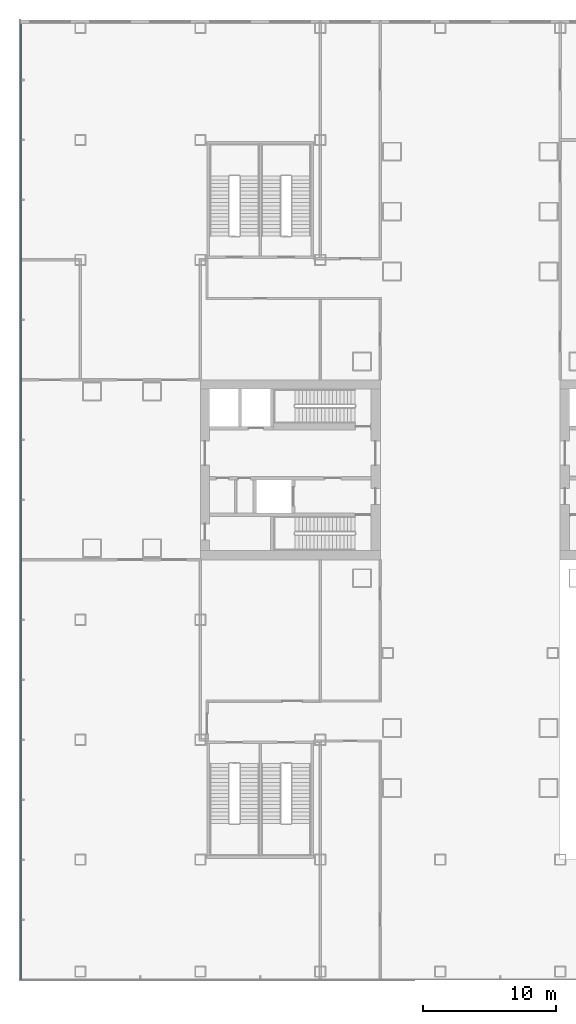
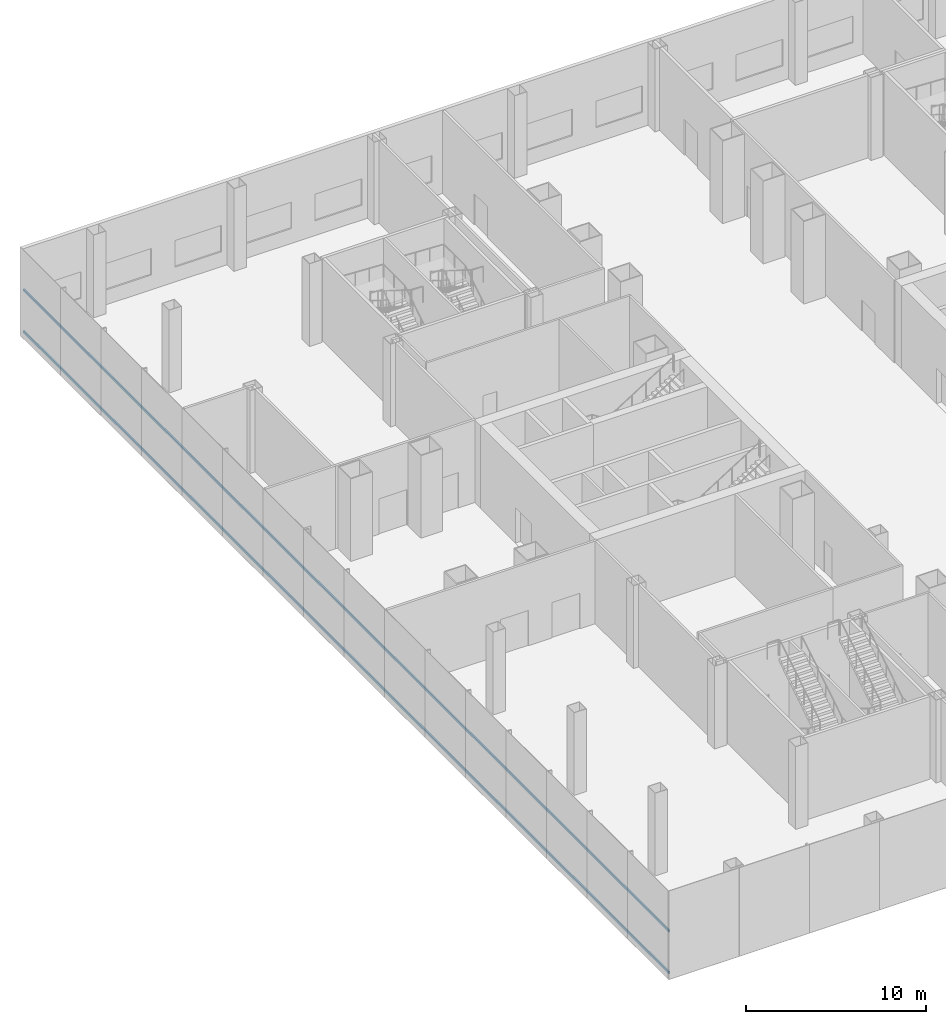
# One storey, part 7 of 33: 2 members, 1 element without a shape of its own.
"""IFC4 building model written with IfcOpenShell, lengths in metres."""

from ifc_helpers import new_model, si_unit, direction, frame, origin, origin_2d, place, context, subcontext, project, spatial, rectangle, extrude, material, layer, layer_set, material_profile, profile_set, type_object, element, aggregate, save


model = new_model("IFC4")

# Units and contexts
model_context = context("Model", 3, precision=1e-05, world=origin(), true_north=direction((0.0, 1.0)))
body_context = subcontext(model_context, "Body", "Model", "MODEL_VIEW")
ifc_project = project(units=[si_unit("LENGTHUNIT", "METRE"), si_unit("AREAUNIT", "SQUARE_METRE"), si_unit("VOLUMEUNIT", "CUBIC_METRE"), si_unit("PLANEANGLEUNIT", "RADIAN"), si_unit("MASSUNIT", "GRAM", prefix="KILO")], contexts=[model_context])

# Site, building, storey
site_placement = place(None, origin())
site = spatial("IfcSite", under=ifc_project, at=site_placement, CompositionType="ELEMENT")
building_placement = place(site_placement, origin())
building = spatial("IfcBuilding", under=site, at=building_placement, Name="Shamsa Quay Exchange Towers", CompositionType="ELEMENT")
storey_placement = place(building_placement, frame((0.0, 0.0, 6.5)))
storey = spatial("IfcBuildingStorey", under=building, at=storey_placement, Name="L01", CompositionType="ELEMENT", Elevation=6.5)

# Curtain wall, members
ifc_material = material(Name="Aluminium EN AW-6063 T6, black anodised", Category="aluminium")
ifc_layer = layer(ifc_material, 0.33203125)
ifc_layer_set = layer_set([ifc_layer], Name="CW-3 PODIUM SHOPFRONT GLAZING")
curtain_wall_type = type_object("IfcCurtainWallType", Name="CW-3 PODIUM SHOPFRONT GLAZING", PredefinedType="NOTDEFINED", material=ifc_layer_set)
curtain_wall_placement = place(storey_placement, origin())
curtain_wall = element("IfcCurtainWall", 1, at=curtain_wall_placement, inside=storey, type_object=curtain_wall_type, Name="CW3 PODIUM-L01-F02", PredefinedType="NOTDEFINED")
ifc_material_profile = material_profile(ifc_material, rectangle(XDim=0.080078125, YDim=0.159912109375, at=origin_2d()), Name="TR160x80")
ifc_profile_set = profile_set([ifc_material_profile], Name="Aluminium EN AW-6063 T6, black anodised")
member_type = type_object("IfcMemberType", Name="CW3 TRANSOM 160x80", PredefinedType="USERDEFINED", material=ifc_profile_set)
member_1_placement = place(storey_placement, frame((-67.4599609375, 33.447998046875, 0.080078125), z_axis=(0.0, -1.0, 0.0), x_axis=(1.0, 0.0, 0.0)))
member_1 = element("IfcMember", 2, at=member_1_placement, type_object=member_type, Name="CW3 transom", ObjectType="TRANSOM", PredefinedType="USERDEFINED", context=body_context, shape_type="SweptSolid", body=[
    extrude(rectangle(XDim=0.080078125, YDim=0.159912109375, at=origin_2d()), origin(), (0.0, 0.0, 1.0), 71.697998046875),
])
member_2_placement = place(storey_placement, frame((-67.4599609375, 33.447998046875, 2.905029296875), z_axis=(0.0, -1.0, 0.0), x_axis=(1.0, 0.0, 0.0)))
member_2 = element("IfcMember", 3, at=member_2_placement, type_object=member_type, Name="CW3 transom", ObjectType="TRANSOM", PredefinedType="USERDEFINED", context=body_context, shape_type="SweptSolid", body=[
    extrude(rectangle(XDim=0.080078125, YDim=0.159912109375, at=origin_2d()), origin(), (0.0, 0.0, 1.0), 71.697998046875),
])
aggregate(curtain_wall, [member_1, member_2])

save(model, "model.ifc")
